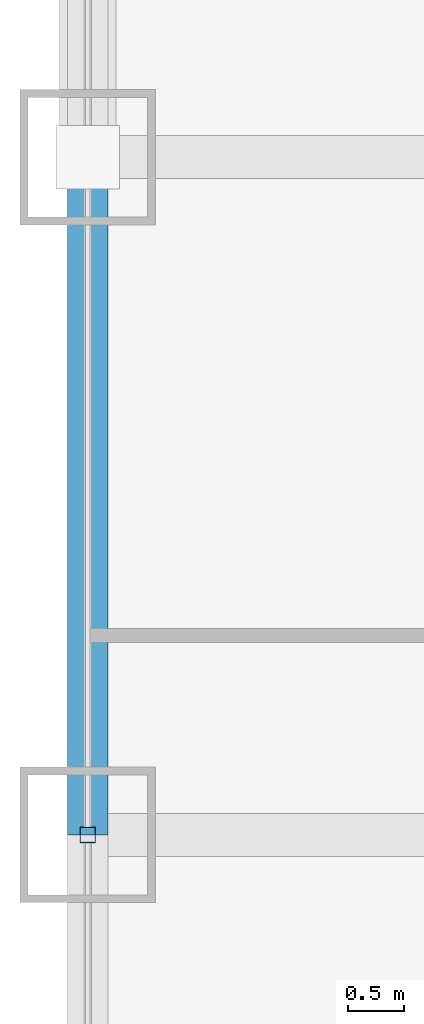
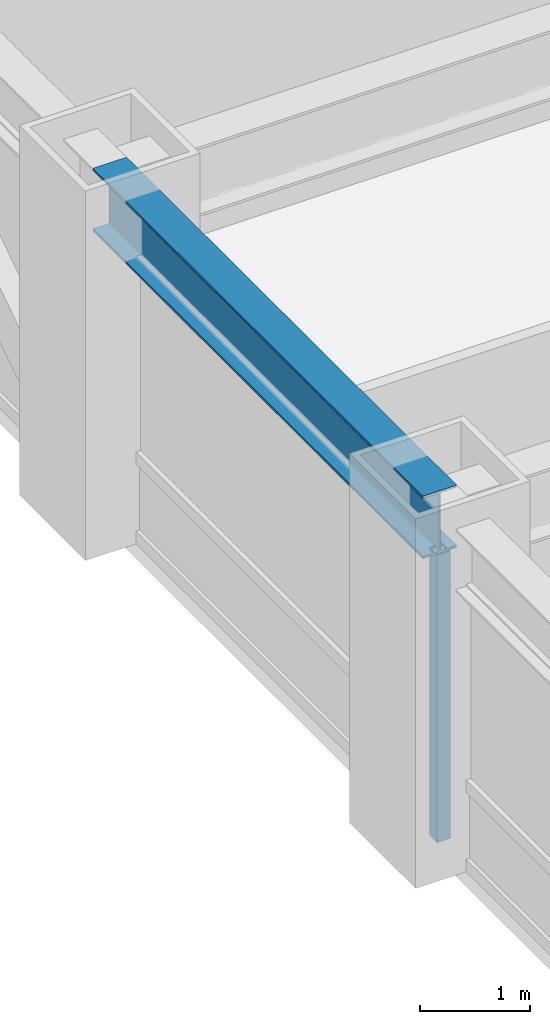
# One storey, part 8 of 32: 1 beam, 1 member, 1 element without a shape of its own.
"""IFC4 building model written with IfcOpenShell, lengths in metres."""

from ifc_helpers import new_model, si_unit, direction, frame, origin, origin_2d, place, context, subcontext, project, spatial, hollow_rectangle, i_section, extrude, source, transform, mapped, material, material_profile, profile_set, type_object, element, aggregate, save


model = new_model("IFC4")

# Units and contexts
model_context = context("Model", 3, precision=1e-05, world=origin(), true_north=direction((0.0, 1.0)))
body_context = subcontext(model_context, "Body", "Model", "MODEL_VIEW")
ifc_project = project(units=[si_unit("LENGTHUNIT", "METRE"), si_unit("AREAUNIT", "SQUARE_METRE"), si_unit("VOLUMEUNIT", "CUBIC_METRE"), si_unit("PLANEANGLEUNIT", "RADIAN"), si_unit("MASSUNIT", "GRAM", prefix="KILO")], contexts=[model_context])

# Site, building, storey
site_placement = place(None, origin())
site = spatial("IfcSite", under=ifc_project, at=site_placement, CompositionType="ELEMENT")
building_placement = place(site_placement, origin())
building = spatial("IfcBuilding", under=site, at=building_placement, Name="Khorayat Bourse Tower", CompositionType="ELEMENT")
storey_placement = place(building_placement, frame((0.0, 0.0, 128.300048828125)))
storey = spatial("IfcBuildingStorey", under=building, at=storey_placement, Name="L29", CompositionType="ELEMENT", Elevation=128.300048828125)

# Beam
ifc_material_1 = material(Name="Steel ASTM A992 Grade 50", Category="steel")
ifc_material_profile_1 = material_profile(ifc_material_1, i_section(OverallWidth=0.35498046875, OverallDepth=0.695068359375, WebThickness=0.015380859375, FlangeThickness=0.02490234375, FilletRadius=0.01806640625, at=origin_2d()), Name="W690X217")
ifc_profile_set_1 = profile_set([ifc_material_profile_1], Name="Steel ASTM A992 Grade 50")
beam_type = type_object("IfcBeamType", Name="BM-SPAN-690", PredefinedType="SPANDREL", material=ifc_profile_set_1)
shared_shape_1 = source(origin(), body_context, "Body", "SweptSolid", [
    extrude(i_section(OverallWidth=0.35498046875, OverallDepth=0.695068359375, WebThickness=0.015380859375, FlangeThickness=0.02490234375, FilletRadius=0.01806640625, at=origin_2d()), origin(), (0.0, 0.0, 1.0), 6.0),
])
beam_placement = place(storey_placement, frame((-32.0, 0.0, 3.492431640625), z_axis=(0.0, 1.0, 0.0), x_axis=(-1.0, 0.0, 0.0)))
element("IfcBeam", 1, at=beam_placement, inside=storey, type_object=beam_type, Name="L29 BM-SPAN-690 BM-L29-SPN-057", PredefinedType="SPANDREL", context=body_context, shape_type="MappedRepresentation", body=[
    mapped(shared_shape_1, transform((0.0, 0.0, 0.0), scale=1.0)),
])

# Curtain wall, member
ifc_material_2 = material(Name="Aluminium EN AW-6063 T6", Category="aluminium")
curtain_wall_type = type_object("IfcCurtainWallType", Name="CW-SYS-02", PredefinedType="NOTDEFINED", material=ifc_material_2)
curtain_wall_placement = place(storey_placement, origin())
curtain_wall = element("IfcCurtainWall", 2, at=curtain_wall_placement, inside=storey, type_object=curtain_wall_type, Name="L29 Curtain Wall CW-L29-W1", PredefinedType="NOTDEFINED")
ifc_material_profile_2 = material_profile(ifc_material_2, hollow_rectangle(XDim=0.139892578125, YDim=0.139892578125, WallThickness=0.006103515625, at=origin_2d()), Name="ALU 140x140x6")
ifc_profile_set_2 = profile_set([ifc_material_profile_2], Name="Aluminium EN AW-6063 T6")
member_type = type_object("IfcMemberType", Name="CWM-VERT-140", PredefinedType="MULLION", material=ifc_profile_set_2)
shared_shape_2 = source(origin(), body_context, "Body", "SweptSolid", [
    extrude(hollow_rectangle(XDim=0.139892578125, YDim=0.139892578125, WallThickness=0.006103515625, at=origin_2d()), origin(), (0.0, 0.0, 1.0), 3.18994140625),
])
member_placement = place(storey_placement, frame((-32.0, 0.0, 0.0), z_axis=(0.0, 0.0, 1.0), x_axis=(-1.0, 0.0, 0.0)))
member = element("IfcMember", 3, at=member_placement, type_object=member_type, Name="CW-L29-W1 Vertical Mullion 2", PredefinedType="MULLION", context=body_context, shape_type="MappedRepresentation", body=[
    mapped(shared_shape_2, transform((0.0, 0.0, 0.0), scale=1.0)),
])
aggregate(curtain_wall, [member])

save(model, "model.ifc")
